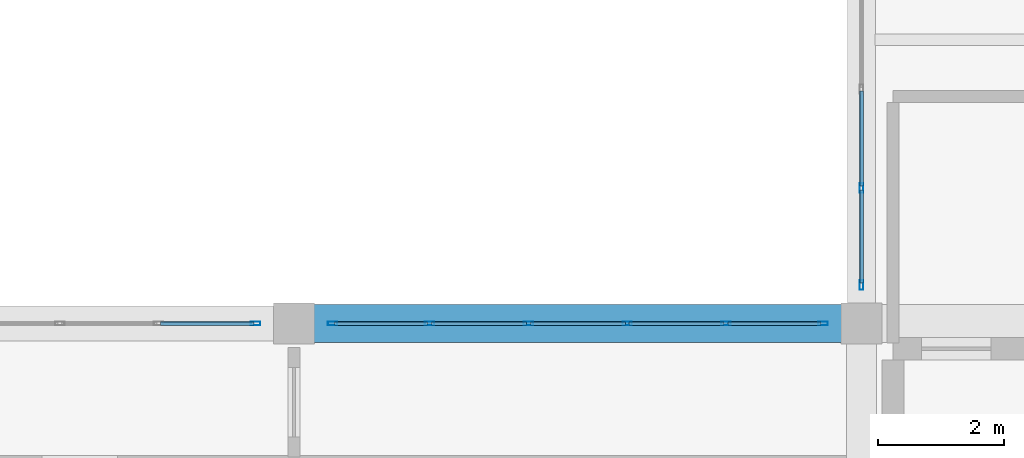
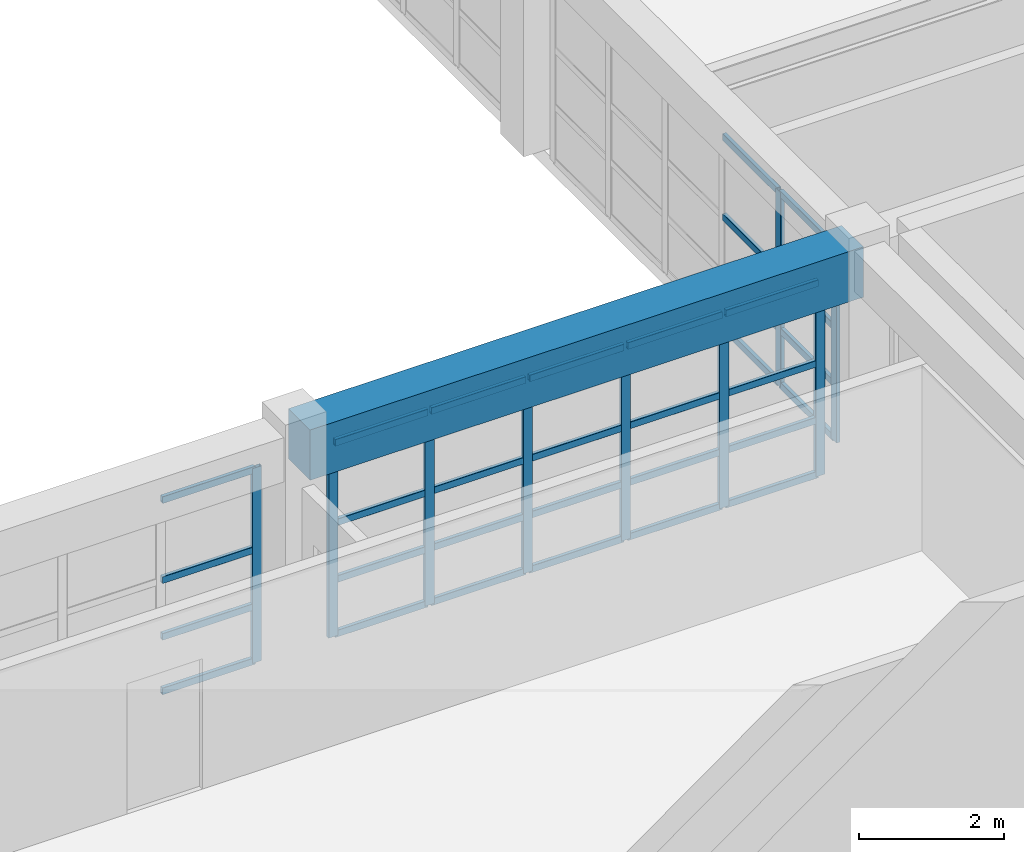
# One storey, part 25 of 130: 41 members, 1 beam, 3 elements without a shape of their own.
"""IFC4 building model written with IfcOpenShell, lengths in metres."""

from ifc_helpers import new_model, si_unit, direction, frame, origin, origin_2d, place, context, subcontext, project, spatial, rectangle, hollow_rectangle, extrude, material, material_profile, profile_set, type_object, element, aggregate, save


model = new_model("IFC4")

# Units and contexts
model_context = context("Model", 3, precision=1e-05, world=origin(), true_north=direction((0.0, 1.0)))
body_context = subcontext(model_context, "Body", "Model", "MODEL_VIEW")
ifc_project = project(units=[si_unit("LENGTHUNIT", "METRE"), si_unit("AREAUNIT", "SQUARE_METRE"), si_unit("VOLUMEUNIT", "CUBIC_METRE"), si_unit("PLANEANGLEUNIT", "RADIAN"), si_unit("MASSUNIT", "GRAM", prefix="KILO")], contexts=[model_context])

# Site, building, storey
site_placement = place(None, origin())
site = spatial("IfcSite", under=ifc_project, at=site_placement, CompositionType="ELEMENT")
building_placement = place(site_placement, origin())
building = spatial("IfcBuilding", under=site, at=building_placement, Name="Miravela Opera House", CompositionType="ELEMENT")
storey_placement = place(building_placement, frame((0.0, 0.0, 9.52001953125)))
storey = spatial("IfcBuildingStorey", under=building, at=storey_placement, Name="L02", CompositionType="ELEMENT", Elevation=9.52001953125)

# Curtain wall, member
ifc_material_1 = material(Name="Anodised architectural bronze aluminium 6063-T6", Category="aluminium")
curtain_wall_type = type_object("IfcCurtainWallType", Name="ARC-CW-06", PredefinedType="NOTDEFINED", material=ifc_material_1)
curtain_wall_1_placement = place(storey_placement, origin())
curtain_wall_1 = element("IfcCurtainWall", 1, at=curtain_wall_1_placement, inside=storey, type_object=curtain_wall_type, Name="Courtyard Arcade Curtain Wall CW-L02-141", PredefinedType="NOTDEFINED")
ifc_material_profile_1 = material_profile(ifc_material_1, hollow_rectangle(XDim=0.06005859375, YDim=0.14990234375, WallThickness=0.00390625, InnerFilletRadius=0.001953125, OuterFilletRadius=0.00390625, at=origin_2d()), Name="CWM-60X150")
ifc_profile_set_1 = profile_set([ifc_material_profile_1])
member_type_1 = type_object("IfcMemberType", Name="ARC-CWM-150", PredefinedType="MULLION", material=ifc_profile_set_1)
member_1_placement = place(storey_placement, frame((53.389892578125, 9.0, 0.0), z_axis=(0.0, 0.0, 1.0), x_axis=(0.0, 1.0, 0.0)))
member_1 = element("IfcMember", 2, at=member_1_placement, type_object=member_type_1, Name="CW-06 mullion 6", PredefinedType="MULLION", context=body_context, shape_type="SweptSolid", body=[
    extrude(hollow_rectangle(XDim=0.06005859375, YDim=0.14990234375, WallThickness=0.00390625, InnerFilletRadius=0.001953125, OuterFilletRadius=0.00390625, at=origin_2d()), origin(), (0.0, 0.0, 1.0), 3.2900390625),
])

# Curtain wall, members
curtain_wall_2_placement = place(storey_placement, origin())
curtain_wall_2 = element("IfcCurtainWall", 3, at=curtain_wall_2_placement, inside=storey, type_object=curtain_wall_type, Name="Courtyard Arcade Curtain Wall CW-L02-143", PredefinedType="NOTDEFINED")
member_2_placement = place(storey_placement, frame((54.610107421875, 9.0, 0.0), z_axis=(0.0, 0.0, 1.0), x_axis=(0.0, 1.0, 0.0)))
member_2 = element("IfcMember", 4, at=member_2_placement, type_object=member_type_1, Name="CW-06 mullion 1", PredefinedType="MULLION", context=body_context, shape_type="SweptSolid", body=[
    extrude(hollow_rectangle(XDim=0.06005859375, YDim=0.14990234375, WallThickness=0.00390625, InnerFilletRadius=0.001953125, OuterFilletRadius=0.00390625, at=origin_2d()), origin(), (0.0, 0.0, 1.0), 3.2900390625),
])
member_3_placement = place(storey_placement, frame((56.14794921875, 9.0, 0.0), z_axis=(0.0, 0.0, 1.0), x_axis=(0.0, 1.0, 0.0)))
member_3 = element("IfcMember", 5, at=member_3_placement, type_object=member_type_1, Name="CW-06 mullion 2", PredefinedType="MULLION", context=body_context, shape_type="SweptSolid", body=[
    extrude(hollow_rectangle(XDim=0.06005859375, YDim=0.14990234375, WallThickness=0.00390625, InnerFilletRadius=0.001953125, OuterFilletRadius=0.00390625, at=origin_2d()), origin(), (0.0, 0.0, 1.0), 3.2900390625),
])
member_4_placement = place(storey_placement, frame((57.716064453125, 9.0, 0.0), z_axis=(0.0, 0.0, 1.0), x_axis=(0.0, 1.0, 0.0)))
member_4 = element("IfcMember", 6, at=member_4_placement, type_object=member_type_1, Name="CW-06 mullion 3", PredefinedType="MULLION", context=body_context, shape_type="SweptSolid", body=[
    extrude(hollow_rectangle(XDim=0.06005859375, YDim=0.14990234375, WallThickness=0.00390625, InnerFilletRadius=0.001953125, OuterFilletRadius=0.00390625, at=origin_2d()), origin(), (0.0, 0.0, 1.0), 3.2900390625),
])
member_5_placement = place(storey_placement, frame((59.283935546875, 9.0, 0.0), z_axis=(0.0, 0.0, 1.0), x_axis=(0.0, 1.0, 0.0)))
member_5 = element("IfcMember", 7, at=member_5_placement, type_object=member_type_1, Name="CW-06 mullion 4", PredefinedType="MULLION", context=body_context, shape_type="SweptSolid", body=[
    extrude(hollow_rectangle(XDim=0.06005859375, YDim=0.14990234375, WallThickness=0.00390625, InnerFilletRadius=0.001953125, OuterFilletRadius=0.00390625, at=origin_2d()), origin(), (0.0, 0.0, 1.0), 3.2900390625),
])
member_6_placement = place(storey_placement, frame((60.85205078125, 9.0, 0.0), z_axis=(0.0, 0.0, 1.0), x_axis=(0.0, 1.0, 0.0)))
member_6 = element("IfcMember", 8, at=member_6_placement, type_object=member_type_1, Name="CW-06 mullion 5", PredefinedType="MULLION", context=body_context, shape_type="SweptSolid", body=[
    extrude(hollow_rectangle(XDim=0.06005859375, YDim=0.14990234375, WallThickness=0.00390625, InnerFilletRadius=0.001953125, OuterFilletRadius=0.00390625, at=origin_2d()), origin(), (0.0, 0.0, 1.0), 3.2900390625),
])
member_7_placement = place(storey_placement, frame((62.389892578125, 9.0, 0.0), z_axis=(0.0, 0.0, 1.0), x_axis=(0.0, 1.0, 0.0)))
member_7 = element("IfcMember", 9, at=member_7_placement, type_object=member_type_1, Name="CW-06 mullion 6", PredefinedType="MULLION", context=body_context, shape_type="SweptSolid", body=[
    extrude(hollow_rectangle(XDim=0.06005859375, YDim=0.14990234375, WallThickness=0.00390625, InnerFilletRadius=0.001953125, OuterFilletRadius=0.00390625, at=origin_2d()), origin(), (0.0, 0.0, 1.0), 3.2900390625),
])

curtain_wall_3_placement = place(storey_placement, origin())
curtain_wall_3 = element("IfcCurtainWall", 10, at=curtain_wall_3_placement, inside=storey, type_object=curtain_wall_type, Name="Courtyard Arcade Curtain Wall CW-L02-146", PredefinedType="NOTDEFINED")
member_8_placement = place(storey_placement, frame((63.0, 9.610107421875, 0.0), z_axis=(0.0, 0.0, 1.0), x_axis=(-1.0, 0.0, 0.0)))
member_8 = element("IfcMember", 11, at=member_8_placement, type_object=member_type_1, Name="CW-06 mullion 1", PredefinedType="MULLION", context=body_context, shape_type="SweptSolid", body=[
    extrude(hollow_rectangle(XDim=0.06005859375, YDim=0.14990234375, WallThickness=0.00390625, InnerFilletRadius=0.001953125, OuterFilletRadius=0.00390625, at=origin_2d()), origin(), (0.0, 0.0, 1.0), 3.2900390625),
])
member_9_placement = place(storey_placement, frame((63.0, 11.14794921875, 0.0), z_axis=(0.0, 0.0, 1.0), x_axis=(-1.0, 0.0, 0.0)))
member_9 = element("IfcMember", 12, at=member_9_placement, type_object=member_type_1, Name="CW-06 mullion 2", PredefinedType="MULLION", context=body_context, shape_type="SweptSolid", body=[
    extrude(hollow_rectangle(XDim=0.06005859375, YDim=0.14990234375, WallThickness=0.00390625, InnerFilletRadius=0.001953125, OuterFilletRadius=0.00390625, at=origin_2d()), origin(), (0.0, 0.0, 1.0), 3.2900390625),
])

# Member
ifc_material_profile_2 = material_profile(ifc_material_1, hollow_rectangle(XDim=0.06005859375, YDim=0.114990234375, WallThickness=0.00390625, InnerFilletRadius=0.001953125, OuterFilletRadius=0.00390625, at=origin_2d()), Name="CWT-60X115")
ifc_profile_set_2 = profile_set([ifc_material_profile_2])
member_type_2 = type_object("IfcMemberType", Name="ARC-CWT-115", PredefinedType="USERDEFINED", material=ifc_profile_set_2)
member_10_placement = place(storey_placement, frame((51.882080078125, 9.0, 0.030029296875), z_axis=(1.0, 0.0, 0.0), x_axis=(0.0, 1.0, 0.0)))
member_10 = element("IfcMember", 13, at=member_10_placement, type_object=member_type_2, Name="CW-06 transom 5.1", ObjectType="TRANSOM", PredefinedType="USERDEFINED", context=body_context, shape_type="SweptSolid", body=[
    extrude(hollow_rectangle(XDim=0.06005859375, YDim=0.114990234375, WallThickness=0.00390625, InnerFilletRadius=0.001953125, OuterFilletRadius=0.00390625, at=origin_2d()), origin(), (0.0, 0.0, 1.0), 1.47802734375),
])

member_11_placement = place(storey_placement, frame((51.882080078125, 9.0, 0.949951171875), z_axis=(1.0, 0.0, 0.0), x_axis=(0.0, 1.0, 0.0)))
member_11 = element("IfcMember", 14, at=member_11_placement, type_object=member_type_2, Name="CW-06 transom 5.2", ObjectType="TRANSOM", PredefinedType="USERDEFINED", context=body_context, shape_type="SweptSolid", body=[
    extrude(hollow_rectangle(XDim=0.06005859375, YDim=0.114990234375, WallThickness=0.00390625, InnerFilletRadius=0.001953125, OuterFilletRadius=0.00390625, at=origin_2d()), origin(), (0.0, 0.0, 1.0), 1.47802734375),
])

member_12_placement = place(storey_placement, frame((51.882080078125, 9.0, 1.908203125), z_axis=(1.0, 0.0, 0.0), x_axis=(0.0, 1.0, 0.0)))
member_12 = element("IfcMember", 15, at=member_12_placement, type_object=member_type_2, Name="CW-06 transom 5.3", ObjectType="TRANSOM", PredefinedType="USERDEFINED", context=body_context, shape_type="SweptSolid", body=[
    extrude(hollow_rectangle(XDim=0.06005859375, YDim=0.114990234375, WallThickness=0.00390625, InnerFilletRadius=0.001953125, OuterFilletRadius=0.00390625, at=origin_2d()), origin(), (0.0, 0.0, 1.0), 1.47802734375),
])

member_13_placement = place(storey_placement, frame((51.882080078125, 9.0, 3.260009765625), z_axis=(1.0, 0.0, 0.0), x_axis=(0.0, 1.0, 0.0)))
member_13 = element("IfcMember", 16, at=member_13_placement, type_object=member_type_2, Name="CW-06 transom 5.4", ObjectType="TRANSOM", PredefinedType="USERDEFINED", context=body_context, shape_type="SweptSolid", body=[
    extrude(hollow_rectangle(XDim=0.06005859375, YDim=0.114990234375, WallThickness=0.00390625, InnerFilletRadius=0.001953125, OuterFilletRadius=0.00390625, at=origin_2d()), origin(), (0.0, 0.0, 1.0), 1.47802734375),
])

aggregate(curtain_wall_1, [member_1, member_10, member_11, member_12, member_13])

member_14_placement = place(storey_placement, frame((54.639892578125, 9.0, 0.030029296875), z_axis=(1.0, 0.0, 0.0), x_axis=(0.0, 1.0, 0.0)))
member_14 = element("IfcMember", 17, at=member_14_placement, type_object=member_type_2, Name="CW-06 transom 1.1", ObjectType="TRANSOM", PredefinedType="USERDEFINED", context=body_context, shape_type="SweptSolid", body=[
    extrude(hollow_rectangle(XDim=0.06005859375, YDim=0.114990234375, WallThickness=0.00390625, InnerFilletRadius=0.001953125, OuterFilletRadius=0.00390625, at=origin_2d()), origin(), (0.0, 0.0, 1.0), 1.47802734375),
])

member_15_placement = place(storey_placement, frame((54.639892578125, 9.0, 0.949951171875), z_axis=(1.0, 0.0, 0.0), x_axis=(0.0, 1.0, 0.0)))
member_15 = element("IfcMember", 18, at=member_15_placement, type_object=member_type_2, Name="CW-06 transom 1.2", ObjectType="TRANSOM", PredefinedType="USERDEFINED", context=body_context, shape_type="SweptSolid", body=[
    extrude(hollow_rectangle(XDim=0.06005859375, YDim=0.114990234375, WallThickness=0.00390625, InnerFilletRadius=0.001953125, OuterFilletRadius=0.00390625, at=origin_2d()), origin(), (0.0, 0.0, 1.0), 1.47802734375),
])

member_16_placement = place(storey_placement, frame((54.639892578125, 9.0, 1.908203125), z_axis=(1.0, 0.0, 0.0), x_axis=(0.0, 1.0, 0.0)))
member_16 = element("IfcMember", 19, at=member_16_placement, type_object=member_type_2, Name="CW-06 transom 1.3", ObjectType="TRANSOM", PredefinedType="USERDEFINED", context=body_context, shape_type="SweptSolid", body=[
    extrude(hollow_rectangle(XDim=0.06005859375, YDim=0.114990234375, WallThickness=0.00390625, InnerFilletRadius=0.001953125, OuterFilletRadius=0.00390625, at=origin_2d()), origin(), (0.0, 0.0, 1.0), 1.47802734375),
])

member_17_placement = place(storey_placement, frame((54.639892578125, 9.0, 3.260009765625), z_axis=(1.0, 0.0, 0.0), x_axis=(0.0, 1.0, 0.0)))
member_17 = element("IfcMember", 20, at=member_17_placement, type_object=member_type_2, Name="CW-06 transom 1.4", ObjectType="TRANSOM", PredefinedType="USERDEFINED", context=body_context, shape_type="SweptSolid", body=[
    extrude(hollow_rectangle(XDim=0.06005859375, YDim=0.114990234375, WallThickness=0.00390625, InnerFilletRadius=0.001953125, OuterFilletRadius=0.00390625, at=origin_2d()), origin(), (0.0, 0.0, 1.0), 1.47802734375),
])

member_18_placement = place(storey_placement, frame((56.177978515625, 9.0, 0.030029296875), z_axis=(1.0, 0.0, 0.0), x_axis=(0.0, 1.0, 0.0)))
member_18 = element("IfcMember", 21, at=member_18_placement, type_object=member_type_2, Name="CW-06 transom 2.1", ObjectType="TRANSOM", PredefinedType="USERDEFINED", context=body_context, shape_type="SweptSolid", body=[
    extrude(hollow_rectangle(XDim=0.06005859375, YDim=0.114990234375, WallThickness=0.00390625, InnerFilletRadius=0.001953125, OuterFilletRadius=0.00390625, at=origin_2d()), origin(), (0.0, 0.0, 1.0), 1.508056640625),
])

member_19_placement = place(storey_placement, frame((56.177978515625, 9.0, 0.949951171875), z_axis=(1.0, 0.0, 0.0), x_axis=(0.0, 1.0, 0.0)))
member_19 = element("IfcMember", 22, at=member_19_placement, type_object=member_type_2, Name="CW-06 transom 2.2", ObjectType="TRANSOM", PredefinedType="USERDEFINED", context=body_context, shape_type="SweptSolid", body=[
    extrude(hollow_rectangle(XDim=0.06005859375, YDim=0.114990234375, WallThickness=0.00390625, InnerFilletRadius=0.001953125, OuterFilletRadius=0.00390625, at=origin_2d()), origin(), (0.0, 0.0, 1.0), 1.508056640625),
])

member_20_placement = place(storey_placement, frame((56.177978515625, 9.0, 1.908203125), z_axis=(1.0, 0.0, 0.0), x_axis=(0.0, 1.0, 0.0)))
member_20 = element("IfcMember", 23, at=member_20_placement, type_object=member_type_2, Name="CW-06 transom 2.3", ObjectType="TRANSOM", PredefinedType="USERDEFINED", context=body_context, shape_type="SweptSolid", body=[
    extrude(hollow_rectangle(XDim=0.06005859375, YDim=0.114990234375, WallThickness=0.00390625, InnerFilletRadius=0.001953125, OuterFilletRadius=0.00390625, at=origin_2d()), origin(), (0.0, 0.0, 1.0), 1.508056640625),
])

member_21_placement = place(storey_placement, frame((56.177978515625, 9.0, 3.260009765625), z_axis=(1.0, 0.0, 0.0), x_axis=(0.0, 1.0, 0.0)))
member_21 = element("IfcMember", 24, at=member_21_placement, type_object=member_type_2, Name="CW-06 transom 2.4", ObjectType="TRANSOM", PredefinedType="USERDEFINED", context=body_context, shape_type="SweptSolid", body=[
    extrude(hollow_rectangle(XDim=0.06005859375, YDim=0.114990234375, WallThickness=0.00390625, InnerFilletRadius=0.001953125, OuterFilletRadius=0.00390625, at=origin_2d()), origin(), (0.0, 0.0, 1.0), 1.508056640625),
])

member_22_placement = place(storey_placement, frame((57.74609375, 9.0, 0.030029296875), z_axis=(1.0, 0.0, 0.0), x_axis=(0.0, 1.0, 0.0)))
member_22 = element("IfcMember", 25, at=member_22_placement, type_object=member_type_2, Name="CW-06 transom 3.1", ObjectType="TRANSOM", PredefinedType="USERDEFINED", context=body_context, shape_type="SweptSolid", body=[
    extrude(hollow_rectangle(XDim=0.06005859375, YDim=0.114990234375, WallThickness=0.00390625, InnerFilletRadius=0.001953125, OuterFilletRadius=0.00390625, at=origin_2d()), origin(), (0.0, 0.0, 1.0), 1.5078125),
])

member_23_placement = place(storey_placement, frame((57.74609375, 9.0, 0.949951171875), z_axis=(1.0, 0.0, 0.0), x_axis=(0.0, 1.0, 0.0)))
member_23 = element("IfcMember", 26, at=member_23_placement, type_object=member_type_2, Name="CW-06 transom 3.2", ObjectType="TRANSOM", PredefinedType="USERDEFINED", context=body_context, shape_type="SweptSolid", body=[
    extrude(hollow_rectangle(XDim=0.06005859375, YDim=0.114990234375, WallThickness=0.00390625, InnerFilletRadius=0.001953125, OuterFilletRadius=0.00390625, at=origin_2d()), origin(), (0.0, 0.0, 1.0), 1.5078125),
])

member_24_placement = place(storey_placement, frame((57.74609375, 9.0, 1.908203125), z_axis=(1.0, 0.0, 0.0), x_axis=(0.0, 1.0, 0.0)))
member_24 = element("IfcMember", 27, at=member_24_placement, type_object=member_type_2, Name="CW-06 transom 3.3", ObjectType="TRANSOM", PredefinedType="USERDEFINED", context=body_context, shape_type="SweptSolid", body=[
    extrude(hollow_rectangle(XDim=0.06005859375, YDim=0.114990234375, WallThickness=0.00390625, InnerFilletRadius=0.001953125, OuterFilletRadius=0.00390625, at=origin_2d()), origin(), (0.0, 0.0, 1.0), 1.5078125),
])

member_25_placement = place(storey_placement, frame((57.74609375, 9.0, 3.260009765625), z_axis=(1.0, 0.0, 0.0), x_axis=(0.0, 1.0, 0.0)))
member_25 = element("IfcMember", 28, at=member_25_placement, type_object=member_type_2, Name="CW-06 transom 3.4", ObjectType="TRANSOM", PredefinedType="USERDEFINED", context=body_context, shape_type="SweptSolid", body=[
    extrude(hollow_rectangle(XDim=0.06005859375, YDim=0.114990234375, WallThickness=0.00390625, InnerFilletRadius=0.001953125, OuterFilletRadius=0.00390625, at=origin_2d()), origin(), (0.0, 0.0, 1.0), 1.5078125),
])

member_26_placement = place(storey_placement, frame((59.31396484375, 9.0, 0.030029296875), z_axis=(1.0, 0.0, 0.0), x_axis=(0.0, 1.0, 0.0)))
member_26 = element("IfcMember", 29, at=member_26_placement, type_object=member_type_2, Name="CW-06 transom 4.1", ObjectType="TRANSOM", PredefinedType="USERDEFINED", context=body_context, shape_type="SweptSolid", body=[
    extrude(hollow_rectangle(XDim=0.06005859375, YDim=0.114990234375, WallThickness=0.00390625, InnerFilletRadius=0.001953125, OuterFilletRadius=0.00390625, at=origin_2d()), origin(), (0.0, 0.0, 1.0), 1.508056640625),
])

member_27_placement = place(storey_placement, frame((59.31396484375, 9.0, 0.949951171875), z_axis=(1.0, 0.0, 0.0), x_axis=(0.0, 1.0, 0.0)))
member_27 = element("IfcMember", 30, at=member_27_placement, type_object=member_type_2, Name="CW-06 transom 4.2", ObjectType="TRANSOM", PredefinedType="USERDEFINED", context=body_context, shape_type="SweptSolid", body=[
    extrude(hollow_rectangle(XDim=0.06005859375, YDim=0.114990234375, WallThickness=0.00390625, InnerFilletRadius=0.001953125, OuterFilletRadius=0.00390625, at=origin_2d()), origin(), (0.0, 0.0, 1.0), 1.508056640625),
])

member_28_placement = place(storey_placement, frame((59.31396484375, 9.0, 1.908203125), z_axis=(1.0, 0.0, 0.0), x_axis=(0.0, 1.0, 0.0)))
member_28 = element("IfcMember", 31, at=member_28_placement, type_object=member_type_2, Name="CW-06 transom 4.3", ObjectType="TRANSOM", PredefinedType="USERDEFINED", context=body_context, shape_type="SweptSolid", body=[
    extrude(hollow_rectangle(XDim=0.06005859375, YDim=0.114990234375, WallThickness=0.00390625, InnerFilletRadius=0.001953125, OuterFilletRadius=0.00390625, at=origin_2d()), origin(), (0.0, 0.0, 1.0), 1.508056640625),
])

member_29_placement = place(storey_placement, frame((59.31396484375, 9.0, 3.260009765625), z_axis=(1.0, 0.0, 0.0), x_axis=(0.0, 1.0, 0.0)))
member_29 = element("IfcMember", 32, at=member_29_placement, type_object=member_type_2, Name="CW-06 transom 4.4", ObjectType="TRANSOM", PredefinedType="USERDEFINED", context=body_context, shape_type="SweptSolid", body=[
    extrude(hollow_rectangle(XDim=0.06005859375, YDim=0.114990234375, WallThickness=0.00390625, InnerFilletRadius=0.001953125, OuterFilletRadius=0.00390625, at=origin_2d()), origin(), (0.0, 0.0, 1.0), 1.508056640625),
])

member_30_placement = place(storey_placement, frame((60.882080078125, 9.0, 0.030029296875), z_axis=(1.0, 0.0, 0.0), x_axis=(0.0, 1.0, 0.0)))
member_30 = element("IfcMember", 33, at=member_30_placement, type_object=member_type_2, Name="CW-06 transom 5.1", ObjectType="TRANSOM", PredefinedType="USERDEFINED", context=body_context, shape_type="SweptSolid", body=[
    extrude(hollow_rectangle(XDim=0.06005859375, YDim=0.114990234375, WallThickness=0.00390625, InnerFilletRadius=0.001953125, OuterFilletRadius=0.00390625, at=origin_2d()), origin(), (0.0, 0.0, 1.0), 1.47802734375),
])

member_31_placement = place(storey_placement, frame((60.882080078125, 9.0, 0.949951171875), z_axis=(1.0, 0.0, 0.0), x_axis=(0.0, 1.0, 0.0)))
member_31 = element("IfcMember", 34, at=member_31_placement, type_object=member_type_2, Name="CW-06 transom 5.2", ObjectType="TRANSOM", PredefinedType="USERDEFINED", context=body_context, shape_type="SweptSolid", body=[
    extrude(hollow_rectangle(XDim=0.06005859375, YDim=0.114990234375, WallThickness=0.00390625, InnerFilletRadius=0.001953125, OuterFilletRadius=0.00390625, at=origin_2d()), origin(), (0.0, 0.0, 1.0), 1.47802734375),
])

member_32_placement = place(storey_placement, frame((60.882080078125, 9.0, 1.908203125), z_axis=(1.0, 0.0, 0.0), x_axis=(0.0, 1.0, 0.0)))
member_32 = element("IfcMember", 35, at=member_32_placement, type_object=member_type_2, Name="CW-06 transom 5.3", ObjectType="TRANSOM", PredefinedType="USERDEFINED", context=body_context, shape_type="SweptSolid", body=[
    extrude(hollow_rectangle(XDim=0.06005859375, YDim=0.114990234375, WallThickness=0.00390625, InnerFilletRadius=0.001953125, OuterFilletRadius=0.00390625, at=origin_2d()), origin(), (0.0, 0.0, 1.0), 1.47802734375),
])

member_33_placement = place(storey_placement, frame((60.882080078125, 9.0, 3.260009765625), z_axis=(1.0, 0.0, 0.0), x_axis=(0.0, 1.0, 0.0)))
member_33 = element("IfcMember", 36, at=member_33_placement, type_object=member_type_2, Name="CW-06 transom 5.4", ObjectType="TRANSOM", PredefinedType="USERDEFINED", context=body_context, shape_type="SweptSolid", body=[
    extrude(hollow_rectangle(XDim=0.06005859375, YDim=0.114990234375, WallThickness=0.00390625, InnerFilletRadius=0.001953125, OuterFilletRadius=0.00390625, at=origin_2d()), origin(), (0.0, 0.0, 1.0), 1.47802734375),
])

aggregate(curtain_wall_2, [member_2, member_3, member_4, member_5, member_6, member_7, member_14, member_15, member_16, member_17, member_18, member_19, member_20, member_21, member_22, member_23, member_24, member_25, member_26, member_27, member_28, member_29, member_30, member_31, member_32, member_33])

member_34_placement = place(storey_placement, frame((63.0, 9.639892578125, 0.030029296875), z_axis=(0.0, 1.0, 0.0), x_axis=(-1.0, 0.0, 0.0)))
member_34 = element("IfcMember", 37, at=member_34_placement, type_object=member_type_2, Name="CW-06 transom 1.1", ObjectType="TRANSOM", PredefinedType="USERDEFINED", context=body_context, shape_type="SweptSolid", body=[
    extrude(hollow_rectangle(XDim=0.06005859375, YDim=0.114990234375, WallThickness=0.00390625, InnerFilletRadius=0.001953125, OuterFilletRadius=0.00390625, at=origin_2d()), origin(), (0.0, 0.0, 1.0), 1.47802734375),
])

member_35_placement = place(storey_placement, frame((63.0, 9.639892578125, 0.949951171875), z_axis=(0.0, 1.0, 0.0), x_axis=(-1.0, 0.0, 0.0)))
member_35 = element("IfcMember", 38, at=member_35_placement, type_object=member_type_2, Name="CW-06 transom 1.2", ObjectType="TRANSOM", PredefinedType="USERDEFINED", context=body_context, shape_type="SweptSolid", body=[
    extrude(hollow_rectangle(XDim=0.06005859375, YDim=0.114990234375, WallThickness=0.00390625, InnerFilletRadius=0.001953125, OuterFilletRadius=0.00390625, at=origin_2d()), origin(), (0.0, 0.0, 1.0), 1.47802734375),
])

member_36_placement = place(storey_placement, frame((63.0, 9.639892578125, 1.908203125), z_axis=(0.0, 1.0, 0.0), x_axis=(-1.0, 0.0, 0.0)))
member_36 = element("IfcMember", 39, at=member_36_placement, type_object=member_type_2, Name="CW-06 transom 1.3", ObjectType="TRANSOM", PredefinedType="USERDEFINED", context=body_context, shape_type="SweptSolid", body=[
    extrude(hollow_rectangle(XDim=0.06005859375, YDim=0.114990234375, WallThickness=0.00390625, InnerFilletRadius=0.001953125, OuterFilletRadius=0.00390625, at=origin_2d()), origin(), (0.0, 0.0, 1.0), 1.47802734375),
])

member_37_placement = place(storey_placement, frame((63.0, 9.639892578125, 3.260009765625), z_axis=(0.0, 1.0, 0.0), x_axis=(-1.0, 0.0, 0.0)))
member_37 = element("IfcMember", 40, at=member_37_placement, type_object=member_type_2, Name="CW-06 transom 1.4", ObjectType="TRANSOM", PredefinedType="USERDEFINED", context=body_context, shape_type="SweptSolid", body=[
    extrude(hollow_rectangle(XDim=0.06005859375, YDim=0.114990234375, WallThickness=0.00390625, InnerFilletRadius=0.001953125, OuterFilletRadius=0.00390625, at=origin_2d()), origin(), (0.0, 0.0, 1.0), 1.47802734375),
])

member_38_placement = place(storey_placement, frame((63.0, 11.177978515625, 0.030029296875), z_axis=(0.0, 1.0, 0.0), x_axis=(-1.0, 0.0, 0.0)))
member_38 = element("IfcMember", 41, at=member_38_placement, type_object=member_type_2, Name="CW-06 transom 2.1", ObjectType="TRANSOM", PredefinedType="USERDEFINED", context=body_context, shape_type="SweptSolid", body=[
    extrude(hollow_rectangle(XDim=0.06005859375, YDim=0.114990234375, WallThickness=0.00390625, InnerFilletRadius=0.001953125, OuterFilletRadius=0.00390625, at=origin_2d()), origin(), (0.0, 0.0, 1.0), 1.508056640625),
])

member_39_placement = place(storey_placement, frame((63.0, 11.177978515625, 0.949951171875), z_axis=(0.0, 1.0, 0.0), x_axis=(-1.0, 0.0, 0.0)))
member_39 = element("IfcMember", 42, at=member_39_placement, type_object=member_type_2, Name="CW-06 transom 2.2", ObjectType="TRANSOM", PredefinedType="USERDEFINED", context=body_context, shape_type="SweptSolid", body=[
    extrude(hollow_rectangle(XDim=0.06005859375, YDim=0.114990234375, WallThickness=0.00390625, InnerFilletRadius=0.001953125, OuterFilletRadius=0.00390625, at=origin_2d()), origin(), (0.0, 0.0, 1.0), 1.508056640625),
])

member_40_placement = place(storey_placement, frame((63.0, 11.177978515625, 1.908203125), z_axis=(0.0, 1.0, 0.0), x_axis=(-1.0, 0.0, 0.0)))
member_40 = element("IfcMember", 43, at=member_40_placement, type_object=member_type_2, Name="CW-06 transom 2.3", ObjectType="TRANSOM", PredefinedType="USERDEFINED", context=body_context, shape_type="SweptSolid", body=[
    extrude(hollow_rectangle(XDim=0.06005859375, YDim=0.114990234375, WallThickness=0.00390625, InnerFilletRadius=0.001953125, OuterFilletRadius=0.00390625, at=origin_2d()), origin(), (0.0, 0.0, 1.0), 1.508056640625),
])

member_41_placement = place(storey_placement, frame((63.0, 11.177978515625, 3.260009765625), z_axis=(0.0, 1.0, 0.0), x_axis=(-1.0, 0.0, 0.0)))
member_41 = element("IfcMember", 44, at=member_41_placement, type_object=member_type_2, Name="CW-06 transom 2.4", ObjectType="TRANSOM", PredefinedType="USERDEFINED", context=body_context, shape_type="SweptSolid", body=[
    extrude(hollow_rectangle(XDim=0.06005859375, YDim=0.114990234375, WallThickness=0.00390625, InnerFilletRadius=0.001953125, OuterFilletRadius=0.00390625, at=origin_2d()), origin(), (0.0, 0.0, 1.0), 1.508056640625),
])

aggregate(curtain_wall_3, [member_8, member_9, member_34, member_35, member_36, member_37, member_38, member_39, member_40, member_41])

# Beam
ifc_material_2 = material(Name="Concrete C40/50", Category="concrete")
ifc_material_profile_3 = material_profile(ifc_material_2, rectangle(XDim=0.60009765625, YDim=0.85009765625, at=origin_2d()), Name="RC-BM-600X850")
ifc_profile_set_3 = profile_set([ifc_material_profile_3])
beam_type = type_object("IfcBeamType", Name="STR-BM-RC600X850", PredefinedType="BEAM", material=ifc_profile_set_3)
beam_placement = place(storey_placement, frame((54.080078125, 9.0, 3.4150390625), z_axis=(1.0, 0.0, 0.0), x_axis=(0.0, 1.0, 0.0)))
element("IfcBeam", 45, at=beam_placement, inside=storey, type_object=beam_type, Name="Floor Girder L02 7-8/B", PredefinedType="BEAM", context=body_context, shape_type="SweptSolid", body=[
    extrude(rectangle(XDim=0.60009765625, YDim=0.85009765625, at=origin_2d()), origin(), (0.0, 0.0, 1.0), 8.83984375),
])

save(model, "model.ifc")
